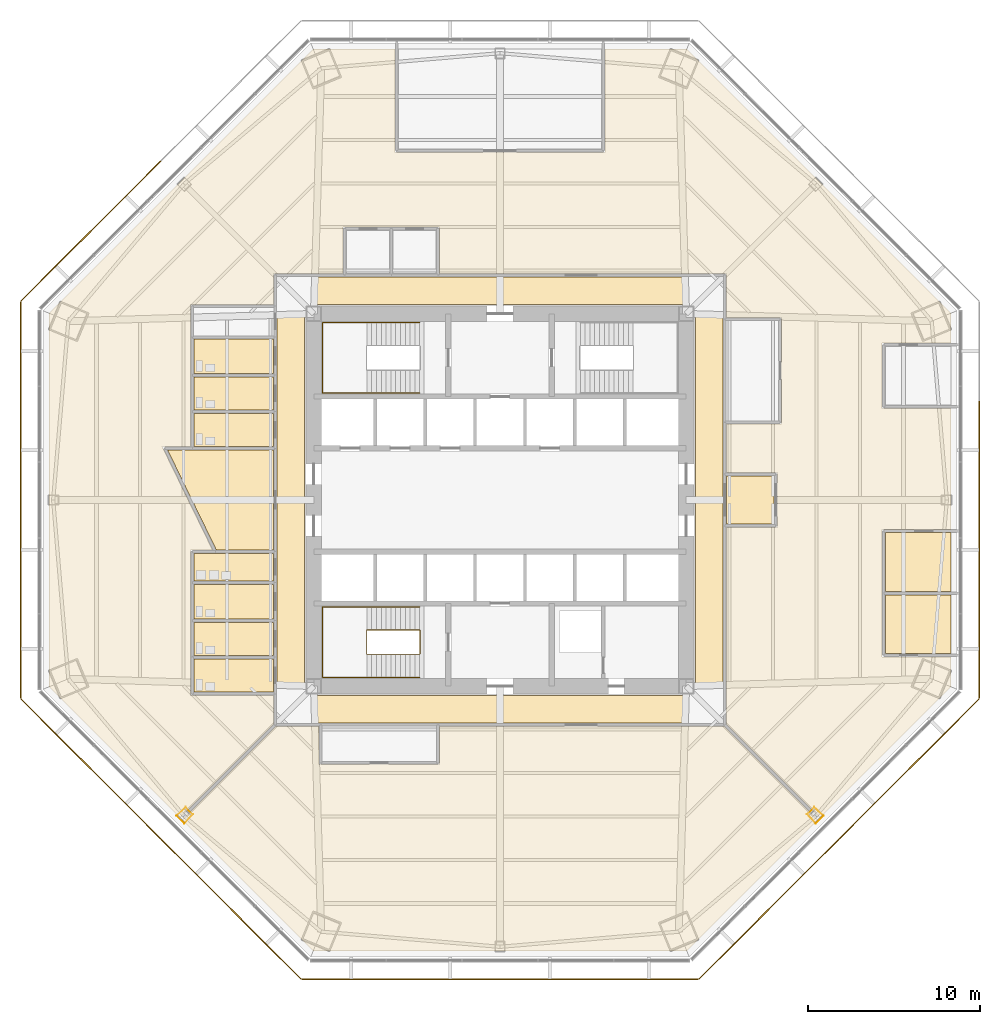
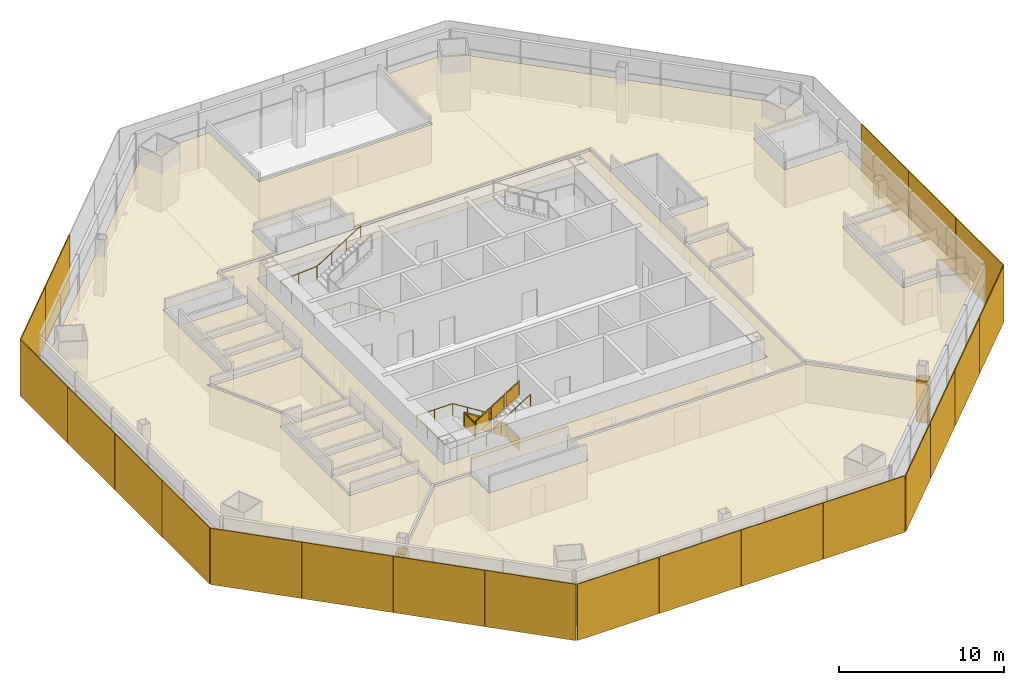
# One storey, part 11 of 13: 21 shading devices, 16 coverings, 3 railings.
"""IFC4 building model written with IfcOpenShell, lengths in metres."""

from ifc_helpers import new_model, si_unit, direction, frame, origin, origin_2d, place, context, subcontext, project, spatial, polyline, rectangle, circle, outline, extrude, source, transform, mapped, material, layer, layer_set, type_object, type_shapes, element, save


model = new_model("IFC4")

# Units and contexts
model_context = context("Model", 3, precision=1e-05, world=origin(), true_north=direction((0.0, 1.0)))
body_context = subcontext(model_context, "Body", "Model", "MODEL_VIEW")
ifc_project = project(units=[si_unit("LENGTHUNIT", "METRE"), si_unit("AREAUNIT", "SQUARE_METRE"), si_unit("VOLUMEUNIT", "CUBIC_METRE"), si_unit("PLANEANGLEUNIT", "RADIAN"), si_unit("MASSUNIT", "GRAM", prefix="KILO")], contexts=[model_context])

# Site, building, storey
site_placement = place(None, origin())
site = spatial("IfcSite", under=ifc_project, at=site_placement, CompositionType="ELEMENT")
building_placement = place(site_placement, origin())
building = spatial("IfcBuilding", under=site, at=building_placement, Name="Mashrafa Tower", CompositionType="ELEMENT")
storey_placement = place(building_placement, frame((0.0, 0.0, 45.60009765625)))
storey = spatial("IfcBuildingStorey", under=building, at=storey_placement, Name="L09", CompositionType="ELEMENT", Elevation=45.60009765625)

# Coverings
ifc_material_1 = material(Name="Gypsum board")
ifc_layer_1 = layer(ifc_material_1, 0.014892578125)
ifc_layer_set_1 = layer_set([ifc_layer_1], Name="Column casing plasterboard 15")
covering_type_1 = type_object("IfcCoveringType", Name="Column casing plasterboard 15", PredefinedType="CLADDING", material=ifc_layer_set_1)
covering_1_placement = place(storey_placement, origin())
element("IfcCovering", 1, at=covering_1_placement, inside=storey, type_object=covering_type_1, Name="Column casing L09-001", PredefinedType="CLADDING", context=body_context, shape_type="SweptSolid", body=[
    extrude(outline(polyline([(-18.777099609375, -18.331787109375), (-18.24755859375, -17.802001953125), (-17.802001953125, -18.24755859375), (-18.331787109375, -18.777099609375), (-18.777099609375, -18.331787109375)]), holes=[polyline([(-17.8232421875, -18.24755859375), (-18.24755859375, -17.8232421875), (-18.755859375, -18.331787109375), (-18.331787109375, -18.755859375), (-17.8232421875, -18.24755859375)])]), origin(), (0.0, 0.0, 1.0), 3.097900390625),
])
covering_2_placement = place(storey_placement, origin())
element("IfcCovering", 2, at=covering_2_placement, inside=storey, type_object=covering_type_1, Name="Column casing L09-002", PredefinedType="CLADDING", context=body_context, shape_type="SweptSolid", body=[
    extrude(outline(polyline([(17.802001953125, -18.24755859375), (18.24755859375, -17.802001953125), (18.777099609375, -18.331787109375), (18.331787109375, -18.777099609375), (17.802001953125, -18.24755859375)]), holes=[polyline([(18.755859375, -18.331787109375), (18.24755859375, -17.8232421875), (17.8232421875, -18.24755859375), (18.331787109375, -18.755859375), (18.755859375, -18.331787109375)])]), origin(), (0.0, 0.0, 1.0), 3.097900390625),
])

# Railings
ifc_material_2 = material(Name="Steel guard with glass infill", Category="steel")
railing_type_1 = type_object("IfcRailingType", Name="Stair guard 1100", PredefinedType="GUARDRAIL", material=ifc_material_2)
railing_1_placement = place(storey_placement, frame((-4.64990234375, -8.949951171875, 0.0)))
element("IfcRailing", 3, at=railing_1_placement, inside=storey, type_object=railing_type_1, Name="Stair S3 guard L09", PredefinedType="GUARDRAIL", context=body_context, shape_type="SweptSolid", body=[
    extrude(circle(Radius=0.02392578125, at=origin_2d()), frame((0.0, 0.0, 1.076171875), z_axis=(0.0, 1.0, 0.0), x_axis=(-1.0, 0.0, 0.0)), (0.0, 0.0, 1.0), 1.39990234375),
    extrude(circle(Radius=0.02392578125, at=origin_2d()), frame((0.0, 1.39990234375, 1.076171875), z_axis=(0.0, 0.0, 1.0), x_axis=(1.0, 0.0, 0.0)), (0.0, 0.0, 1.0), 0.1748046875),
    extrude(circle(Radius=0.02392578125, at=origin_2d()), frame((0.0, 1.39990234375, 1.2509765625), z_axis=(-0.847998304005, 0.0, 0.529998940003), x_axis=(0.0, -1.0, 0.0)), (0.0, 0.0, 1.0), 3.632080078125),
    extrude(circle(Radius=0.02392578125, at=origin_2d()), frame((-3.080078125, 1.39990234375, 3.17578125), z_axis=(0.0, -1.0, 0.0), x_axis=(1.0, 0.0, 0.0)), (0.0, 0.0, 1.0), 1.39990234375),
    extrude(circle(Radius=0.02392578125, at=origin_2d()), frame((-3.080078125, 0.0, 3.17578125), z_axis=(0.0, 0.0, 1.0), x_axis=(1.0, 0.0, 0.0)), (0.0, 0.0, 1.0), 0.175048828125),
    extrude(circle(Radius=0.02392578125, at=origin_2d()), frame((-3.080078125, 0.0, 3.35107421875), z_axis=(0.847998304005, 0.0, 0.529998940003), x_axis=(0.0, 1.0, 0.0)), (0.0, 0.0, 1.0), 3.632080078125),
    extrude(circle(Radius=0.02099609375, at=origin_2d()), origin(), (0.0, 0.0, 1.0), 1.052001953125),
    extrude(circle(Radius=0.02099609375, at=origin_2d()), frame((0.0, 1.39990234375, 0.0)), (0.0, 0.0, 1.0), 1.052001953125),
    extrude(circle(Radius=0.02099609375, at=origin_2d()), frame((0.0, 1.39990234375, 0.1748046875)), (0.0, 0.0, 1.0), 1.052001953125),
    extrude(circle(Radius=0.02099609375, at=origin_2d()), frame((-1.026611328125, 1.39990234375, 0.81640625)), (0.0, 0.0, 1.0), 1.052001953125),
    extrude(circle(Radius=0.02099609375, at=origin_2d()), frame((-2.053466796875, 1.39990234375, 1.458251953125)), (0.0, 0.0, 1.0), 1.052001953125),
    extrude(circle(Radius=0.02099609375, at=origin_2d()), frame((-3.080078125, 1.39990234375, 2.099853515625)), (0.0, 0.0, 1.0), 1.052001953125),
    extrude(circle(Radius=0.02099609375, at=origin_2d()), frame((-3.080078125, 0.0, 2.099853515625)), (0.0, 0.0, 1.0), 1.052001953125),
    extrude(circle(Radius=0.02099609375, at=origin_2d()), frame((-3.080078125, 0.0, 2.27490234375)), (0.0, 0.0, 1.0), 1.052001953125),
    extrude(circle(Radius=0.02099609375, at=origin_2d()), frame((-2.053466796875, 0.0, 2.91650390625)), (0.0, 0.0, 1.0), 1.052001953125),
    extrude(circle(Radius=0.02099609375, at=origin_2d()), frame((-1.026611328125, 0.0, 3.558349609375)), (0.0, 0.0, 1.0), 1.052001953125),
    extrude(circle(Radius=0.02099609375, at=origin_2d()), frame((0.0, 0.0, 4.199951171875)), (0.0, 0.0, 1.0), 1.052001953125),
    extrude(outline(polyline([(0.071044921875, 0.050048828125), (1.328857421875, 0.050048828125), (1.328857421875, 1.001953125), (0.071044921875, 1.001953125), (0.071044921875, 0.050048828125)])), frame((0.006103515625, 0.0, 0.0), z_axis=(1.0, 0.0, 0.0), x_axis=(0.0, 1.0, 0.0)), (0.0, 0.0, 1.0), 0.011962890625),
    extrude(outline(polyline([(0.071044921875, 0.094482421875), (0.955810546875, 0.647216796875), (0.955810546875, 1.599365234375), (0.071044921875, 1.04638671875), (0.071044921875, 0.094482421875)])), frame((0.0, 1.406005859375, 0.1748046875), z_axis=(0.0, 1.0, 0.0), x_axis=(-1.0, 0.0, 0.0)), (0.0, 0.0, 1.0), 0.011962890625),
    extrude(outline(polyline([(1.09765625, 0.736083984375), (1.982421875, 1.2890625), (1.982421875, 2.240966796875), (1.09765625, 1.68798828125), (1.09765625, 0.736083984375)])), frame((0.0, 1.406005859375, 0.1748046875), z_axis=(0.0, 1.0, 0.0), x_axis=(-1.0, 0.0, 0.0)), (0.0, 0.0, 1.0), 0.011962890625),
    extrude(outline(polyline([(2.124267578125, 1.377685546875), (3.009033203125, 1.9306640625), (3.009033203125, 2.882568359375), (2.124267578125, 2.329833984375), (2.124267578125, 1.377685546875)])), frame((0.0, 1.406005859375, 0.1748046875), z_axis=(0.0, 1.0, 0.0), x_axis=(-1.0, 0.0, 0.0)), (0.0, 0.0, 1.0), 0.011962890625),
    extrude(outline(polyline([(0.071044921875, 0.050048828125), (1.328857421875, 0.050048828125), (1.328857421875, 1.001953125), (0.071044921875, 1.001953125), (0.071044921875, 0.050048828125)])), frame((-3.086181640625, 1.39990234375, 2.099853515625), z_axis=(-1.0, 0.0, 0.0), x_axis=(0.0, -1.0, 0.0)), (0.0, 0.0, 1.0), 0.011962890625),
    extrude(outline(polyline([(0.071044921875, 0.094482421875), (0.955810546875, 0.647216796875), (0.955810546875, 1.599365234375), (0.071044921875, 1.04638671875), (0.071044921875, 0.094482421875)])), frame((-3.080078125, -0.006103515625, 2.27490234375), z_axis=(0.0, -1.0, 0.0), x_axis=(1.0, 0.0, 0.0)), (0.0, 0.0, 1.0), 0.011962890625),
    extrude(outline(polyline([(1.09765625, 0.736083984375), (1.982421875, 1.2890625), (1.982421875, 2.240966796875), (1.09765625, 1.68798828125), (1.09765625, 0.736083984375)])), frame((-3.080078125, -0.006103515625, 2.27490234375), z_axis=(0.0, -1.0, 0.0), x_axis=(1.0, 0.0, 0.0)), (0.0, 0.0, 1.0), 0.011962890625),
    extrude(outline(polyline([(2.124267578125, 1.377685546875), (3.009033203125, 1.9306640625), (3.009033203125, 2.882568359375), (2.124267578125, 2.329833984375), (2.124267578125, 1.377685546875)])), frame((-3.080078125, -0.006103515625, 2.27490234375), z_axis=(0.0, -1.0, 0.0), x_axis=(1.0, 0.0, 0.0)), (0.0, 0.0, 1.0), 0.011962890625),
])
ifc_material_3 = material(Name="Steel", Category="steel")
railing_type_2 = type_object("IfcRailingType", Name="Stair handrail 900", PredefinedType="HANDRAIL", material=ifc_material_3)
railing_2_placement = place(storey_placement, frame((-4.64990234375, 6.199951171875, 0.1748046875)))
element("IfcRailing", 4, at=railing_2_placement, inside=storey, type_object=railing_type_2, Name="Stair S1 handrail L09", PredefinedType="HANDRAIL", context=body_context, shape_type="SweptSolid", body=[
    extrude(circle(Radius=0.02392578125, at=origin_2d()), frame((0.0, 0.0, 0.8759765625), z_axis=(-0.847998304005, 0.0, 0.529998940003), x_axis=(0.0, -1.0, 0.0)), (0.0, 0.0, 1.0), 3.632080078125),
    extrude(circle(Radius=0.02392578125, at=origin_2d()), frame((-3.080078125, 0.0, 2.80078125), z_axis=(-1.0, 0.0, 0.0), x_axis=(0.0, -1.0, 0.0)), (0.0, 0.0, 1.0), 2.570068359375),
    extrude(circle(Radius=0.02392578125, at=origin_2d()), frame((-5.650146484375, 0.0, 2.80078125), z_axis=(0.0, 1.0, 0.0), x_axis=(-1.0, 0.0, 0.0)), (0.0, 0.0, 1.0), 4.10009765625),
    extrude(circle(Radius=0.02392578125, at=origin_2d()), frame((-5.650146484375, 4.10009765625, 2.80078125), z_axis=(0.997688514158, 0.0, 0.067953136188), x_axis=(0.0, 1.0, 0.0)), (0.0, 0.0, 1.0), 2.575927734375),
    extrude(circle(Radius=0.02392578125, at=origin_2d()), frame((-3.080078125, 4.10009765625, 2.97607421875), z_axis=(0.847998304005, 0.0, 0.529998940003), x_axis=(0.0, 1.0, 0.0)), (0.0, 0.0, 1.0), 3.632080078125),
    extrude(circle(Radius=0.02099609375, at=origin_2d()), origin(), (0.0, 0.0, 1.0), 0.851806640625),
    extrude(circle(Radius=0.02099609375, at=origin_2d()), frame((-1.026611328125, 0.0, 0.6416015625)), (0.0, 0.0, 1.0), 0.851806640625),
    extrude(circle(Radius=0.02099609375, at=origin_2d()), frame((-2.053466796875, 0.0, 1.283447265625)), (0.0, 0.0, 1.0), 0.851806640625),
    extrude(circle(Radius=0.02099609375, at=origin_2d()), frame((-3.080078125, 0.0, 1.925048828125)), (0.0, 0.0, 1.0), 0.851806640625),
    extrude(circle(Radius=0.02099609375, at=origin_2d()), frame((-4.365234375, 0.0, 1.925048828125)), (0.0, 0.0, 1.0), 0.851806640625),
    extrude(circle(Radius=0.02099609375, at=origin_2d()), frame((-5.650146484375, 0.0, 1.925048828125)), (0.0, 0.0, 1.0), 0.851806640625),
    extrude(circle(Radius=0.02099609375, at=origin_2d()), frame((-5.650146484375, 1.36669921875, 1.925048828125)), (0.0, 0.0, 1.0), 0.851806640625),
    extrude(circle(Radius=0.02099609375, at=origin_2d()), frame((-5.650146484375, 2.7333984375, 1.925048828125)), (0.0, 0.0, 1.0), 0.851806640625),
    extrude(circle(Radius=0.02099609375, at=origin_2d()), frame((-5.650146484375, 4.10009765625, 1.925048828125)), (0.0, 0.0, 1.0), 0.851806640625),
    extrude(circle(Radius=0.02099609375, at=origin_2d()), frame((-4.365234375, 4.10009765625, 2.0126953125)), (0.0, 0.0, 1.0), 0.851806640625),
    extrude(circle(Radius=0.02099609375, at=origin_2d()), frame((-3.080078125, 4.10009765625, 2.10009765625)), (0.0, 0.0, 1.0), 0.851806640625),
    extrude(circle(Radius=0.02099609375, at=origin_2d()), frame((-2.053466796875, 4.10009765625, 2.74169921875)), (0.0, 0.0, 1.0), 0.851806640625),
    extrude(circle(Radius=0.02099609375, at=origin_2d()), frame((-1.026611328125, 4.10009765625, 3.383544921875)), (0.0, 0.0, 1.0), 0.851806640625),
    extrude(circle(Radius=0.02099609375, at=origin_2d()), frame((0.0, 4.10009765625, 4.025146484375)), (0.0, 0.0, 1.0), 0.851806640625),
])
railing_3_placement = place(storey_placement, frame((-4.64990234375, -6.199951171875, 0.1748046875)))
element("IfcRailing", 5, at=railing_3_placement, inside=storey, type_object=railing_type_2, Name="Stair S3 handrail L09", PredefinedType="HANDRAIL", context=body_context, shape_type="SweptSolid", body=[
    extrude(circle(Radius=0.02392578125, at=origin_2d()), frame((0.0, 0.0, 0.8759765625), z_axis=(-0.847998304005, 0.0, 0.529998940003), x_axis=(0.0, -1.0, 0.0)), (0.0, 0.0, 1.0), 3.632080078125),
    extrude(circle(Radius=0.02392578125, at=origin_2d()), frame((-3.080078125, 0.0, 2.80078125), z_axis=(-1.0, 0.0, 0.0), x_axis=(0.0, -1.0, 0.0)), (0.0, 0.0, 1.0), 2.570068359375),
    extrude(circle(Radius=0.02392578125, at=origin_2d()), frame((-5.650146484375, 0.0, 2.80078125), z_axis=(0.0, -1.0, 0.0), x_axis=(1.0, 0.0, 0.0)), (0.0, 0.0, 1.0), 4.10009765625),
    extrude(circle(Radius=0.02392578125, at=origin_2d()), frame((-5.650146484375, -4.10009765625, 2.80078125), z_axis=(0.997688514158, 0.0, 0.067953136188), x_axis=(0.0, 1.0, 0.0)), (0.0, 0.0, 1.0), 2.575927734375),
    extrude(circle(Radius=0.02392578125, at=origin_2d()), frame((-3.080078125, -4.10009765625, 2.97607421875), z_axis=(0.847998304005, 0.0, 0.529998940003), x_axis=(0.0, 1.0, 0.0)), (0.0, 0.0, 1.0), 3.632080078125),
    extrude(circle(Radius=0.02099609375, at=origin_2d()), origin(), (0.0, 0.0, 1.0), 0.851806640625),
    extrude(circle(Radius=0.02099609375, at=origin_2d()), frame((-1.026611328125, 0.0, 0.6416015625)), (0.0, 0.0, 1.0), 0.851806640625),
    extrude(circle(Radius=0.02099609375, at=origin_2d()), frame((-2.053466796875, 0.0, 1.283447265625)), (0.0, 0.0, 1.0), 0.851806640625),
    extrude(circle(Radius=0.02099609375, at=origin_2d()), frame((-3.080078125, 0.0, 1.925048828125)), (0.0, 0.0, 1.0), 0.851806640625),
    extrude(circle(Radius=0.02099609375, at=origin_2d()), frame((-4.365234375, 0.0, 1.925048828125)), (0.0, 0.0, 1.0), 0.851806640625),
    extrude(circle(Radius=0.02099609375, at=origin_2d()), frame((-5.650146484375, 0.0, 1.925048828125)), (0.0, 0.0, 1.0), 0.851806640625),
    extrude(circle(Radius=0.02099609375, at=origin_2d()), frame((-5.650146484375, -1.36669921875, 1.925048828125)), (0.0, 0.0, 1.0), 0.851806640625),
    extrude(circle(Radius=0.02099609375, at=origin_2d()), frame((-5.650146484375, -2.7333984375, 1.925048828125)), (0.0, 0.0, 1.0), 0.851806640625),
    extrude(circle(Radius=0.02099609375, at=origin_2d()), frame((-5.650146484375, -4.10009765625, 1.925048828125)), (0.0, 0.0, 1.0), 0.851806640625),
    extrude(circle(Radius=0.02099609375, at=origin_2d()), frame((-4.365234375, -4.10009765625, 2.0126953125)), (0.0, 0.0, 1.0), 0.851806640625),
    extrude(circle(Radius=0.02099609375, at=origin_2d()), frame((-3.080078125, -4.10009765625, 2.10009765625)), (0.0, 0.0, 1.0), 0.851806640625),
    extrude(circle(Radius=0.02099609375, at=origin_2d()), frame((-2.053466796875, -4.10009765625, 2.74169921875)), (0.0, 0.0, 1.0), 0.851806640625),
    extrude(circle(Radius=0.02099609375, at=origin_2d()), frame((-1.026611328125, -4.10009765625, 3.383544921875)), (0.0, 0.0, 1.0), 0.851806640625),
    extrude(circle(Radius=0.02099609375, at=origin_2d()), frame((0.0, -4.10009765625, 4.025146484375)), (0.0, 0.0, 1.0), 0.851806640625),
])

# Coverings
ifc_material_4 = material(Name="Mineral fibre tile on suspension grid")
ifc_layer_2 = layer(ifc_material_4, 0.014892578125)
ifc_layer_set_2 = layer_set([ifc_layer_2], Name="Suspended ceiling mineral tile 15")
covering_type_2 = type_object("IfcCoveringType", Name="Suspended ceiling mineral tile 15", PredefinedType="CEILING", material=ifc_layer_set_2)
covering_3_placement = place(storey_placement, frame((0.0, 0.0, 2.849853515625)))
element("IfcCovering", 6, at=covering_3_placement, inside=storey, type_object=covering_type_2, Name="Ceiling Office Corridor L09", PredefinedType="CEILING", context=body_context, shape_type="SweptSolid", body=[
    extrude(outline(polyline([(-12.949951171875, -12.949951171875), (-12.949951171875, 12.949951171875), (12.949951171875, 12.949951171875), (12.949951171875, -12.949951171875), (-12.949951171875, -12.949951171875)]), holes=[polyline([(11.35009765625, 11.35009765625), (-11.35009765625, 11.35009765625), (-11.35009765625, -11.35009765625), (11.35009765625, -11.35009765625), (11.35009765625, 11.35009765625)])]), origin(), (0.0, 0.0, 1.0), 0.01513671875),
])
covering_4_placement = place(storey_placement, frame((0.0, 0.0, 2.89990234375)))
element("IfcCovering", 7, at=covering_4_placement, inside=storey, type_object=covering_type_2, Name="Ceiling WC Female L09 N", PredefinedType="CEILING", context=body_context, shape_type="SweptSolid", body=[
    extrude(outline(polyline([(-17.75, 3.10009765625), (-17.75, 5.02490234375), (-13.14990234375, 5.02490234375), (-13.14990234375, 3.10009765625), (-17.75, 3.10009765625)])), origin(), (0.0, 0.0, 1.0), 0.014892578125),
])
covering_5_placement = place(storey_placement, frame((0.0, 0.0, 2.89990234375)))
element("IfcCovering", 8, at=covering_5_placement, inside=storey, type_object=covering_type_2, Name="Ceiling WC Male L09 N", PredefinedType="CEILING", context=body_context, shape_type="SweptSolid", body=[
    extrude(outline(polyline([(-17.75, 5.22509765625), (-17.75, 7.14990234375), (-13.14990234375, 7.14990234375), (-13.14990234375, 5.22509765625), (-17.75, 5.22509765625)])), origin(), (0.0, 0.0, 1.0), 0.014892578125),
])
covering_6_placement = place(storey_placement, frame((0.0, 0.0, 2.89990234375)))
element("IfcCovering", 9, at=covering_6_placement, inside=storey, type_object=covering_type_2, Name="Ceiling Accessible WC L09 N", PredefinedType="CEILING", context=body_context, shape_type="SweptSolid", body=[
    extrude(outline(polyline([(-17.75, 7.35009765625), (-17.75, 9.35009765625), (-13.14990234375, 9.35009765625), (-13.14990234375, 7.35009765625), (-17.75, 7.35009765625)])), origin(), (0.0, 0.0, 1.0), 0.014892578125),
])
covering_7_placement = place(storey_placement, frame((0.0, 0.0, 2.89990234375)))
element("IfcCovering", 10, at=covering_7_placement, inside=storey, type_object=covering_type_2, Name="Ceiling WC Female L09 S", PredefinedType="CEILING", context=body_context, shape_type="SweptSolid", body=[
    extrude(outline(polyline([(-17.75, -11.14990234375), (-17.75, -9.22509765625), (-13.14990234375, -9.22509765625), (-13.14990234375, -11.14990234375), (-17.75, -11.14990234375)])), origin(), (0.0, 0.0, 1.0), 0.014892578125),
])
covering_8_placement = place(storey_placement, frame((0.0, 0.0, 2.89990234375)))
element("IfcCovering", 11, at=covering_8_placement, inside=storey, type_object=covering_type_2, Name="Ceiling WC Male L09 S", PredefinedType="CEILING", context=body_context, shape_type="SweptSolid", body=[
    extrude(outline(polyline([(-17.75, -9.02490234375), (-17.75, -7.10009765625), (-13.14990234375, -7.10009765625), (-13.14990234375, -9.02490234375), (-17.75, -9.02490234375)])), origin(), (0.0, 0.0, 1.0), 0.014892578125),
])
covering_9_placement = place(storey_placement, frame((0.0, 0.0, 2.89990234375)))
element("IfcCovering", 12, at=covering_9_placement, inside=storey, type_object=covering_type_2, Name="Ceiling Accessible WC L09 S", PredefinedType="CEILING", context=body_context, shape_type="SweptSolid", body=[
    extrude(outline(polyline([(-17.75, -6.89990234375), (-17.75, -4.89990234375), (-13.14990234375, -4.89990234375), (-13.14990234375, -6.89990234375), (-17.75, -6.89990234375)])), origin(), (0.0, 0.0, 1.0), 0.014892578125),
])
covering_10_placement = place(storey_placement, frame((0.0, 0.0, 2.89990234375)))
element("IfcCovering", 13, at=covering_10_placement, inside=storey, type_object=covering_type_2, Name="Ceiling Ablution Room L09 S", PredefinedType="CEILING", context=body_context, shape_type="SweptSolid", body=[
    extrude(outline(polyline([(-17.75, -4.699951171875), (-17.75, -3.10009765625), (-13.14990234375, -3.10009765625), (-13.14990234375, -4.699951171875), (-17.75, -4.699951171875)])), origin(), (0.0, 0.0, 1.0), 0.014892578125),
])
covering_11_placement = place(storey_placement, frame((0.0, 0.0, 2.849853515625)))
element("IfcCovering", 14, at=covering_11_placement, inside=storey, type_object=covering_type_2, Name="Ceiling Musallah Prayer Room 09", PredefinedType="CEILING", context=body_context, shape_type="SweptSolid", body=[
    extrude(outline(polyline([(-16.461181640625, -2.89990234375), (-19.2900390625, 2.89990234375), (-13.14990234375, 2.89990234375), (-13.14990234375, -2.89990234375), (-16.461181640625, -2.89990234375)])), origin(), (0.0, 0.0, 1.0), 0.01513671875),
])
covering_12_placement = place(storey_placement, frame((0.0, 0.0, 2.89990234375)))
element("IfcCovering", 15, at=covering_12_placement, inside=storey, type_object=covering_type_2, Name="Ceiling Meeting Room 09-1", PredefinedType="CEILING", context=body_context, shape_type="SweptSolid", body=[
    extrude(outline(polyline([(22.374755859375, -5.5), (26.1748046875, -5.5), (26.1748046875, -8.89990234375), (22.374755859375, -8.89990234375), (22.374755859375, -5.5)])), origin(), (0.0, 0.0, 1.0), 0.014892578125),
])
covering_13_placement = place(storey_placement, frame((0.0, 0.0, 2.89990234375)))
element("IfcCovering", 16, at=covering_13_placement, inside=storey, type_object=covering_type_2, Name="Ceiling Meeting Room 09-2", PredefinedType="CEILING", context=body_context, shape_type="SweptSolid", body=[
    extrude(outline(polyline([(22.374755859375, -1.89990234375), (26.1748046875, -1.89990234375), (26.1748046875, -5.300048828125), (22.374755859375, -5.300048828125), (22.374755859375, -1.89990234375)])), origin(), (0.0, 0.0, 1.0), 0.014892578125),
])
covering_14_placement = place(storey_placement, frame((0.0, 0.0, 2.849853515625)))
element("IfcCovering", 17, at=covering_14_placement, inside=storey, type_object=covering_type_2, Name="Ceiling Trading Floor Entrance Lobby 09", PredefinedType="CEILING", context=body_context, shape_type="SweptSolid", body=[
    extrude(outline(polyline([(13.14990234375, 1.39990234375), (15.89990234375, 1.39990234375), (15.89990234375, -1.39990234375), (13.14990234375, -1.39990234375), (13.14990234375, 1.39990234375)])), origin(), (0.0, 0.0, 1.0), 0.01513671875),
])
covering_15_placement = place(storey_placement, frame((0.0, 0.0, 2.849853515625)))
element("IfcCovering", 18, at=covering_15_placement, inside=storey, type_object=covering_type_2, Name="Ceiling Trading Floor 09", PredefinedType="CEILING", context=body_context, shape_type="SweptSolid", body=[
    extrude(outline(polyline([(-13.14990234375, -13.008544921875), (-18.5791015625, -18.4375), (-26.1748046875, -10.841796875), (-26.1748046875, 10.841796875), (-10.841796875, 26.1748046875), (-6.10009765625, 26.1748046875), (-6.10009765625, 20.1748046875), (6.10009765625, 20.1748046875), (6.10009765625, 26.1748046875), (10.841796875, 26.1748046875), (26.1748046875, 10.841796875), (26.1748046875, 9.10009765625), (22.1748046875, 9.10009765625), (22.1748046875, 5.300048828125), (26.1748046875, 5.300048828125), (26.1748046875, -1.699951171875), (22.1748046875, -1.699951171875), (22.1748046875, -9.10009765625), (26.1748046875, -9.10009765625), (26.1748046875, -10.841796875), (18.5791015625, -18.4375), (13.14990234375, -13.008544921875), (13.14990234375, -1.60009765625), (16.10009765625, -1.60009765625), (16.10009765625, 1.60009765625), (13.14990234375, 1.60009765625), (13.14990234375, 4.39990234375), (16.35009765625, 4.39990234375), (16.35009765625, 10.60009765625), (13.14990234375, 10.60009765625), (13.14990234375, 13.14990234375), (-3.5, 13.14990234375), (-3.5, 15.85009765625), (-9.10009765625, 15.85009765625), (-9.10009765625, 13.14990234375), (-13.14990234375, 13.14990234375), (-13.14990234375, 11.35009765625), (-17.949951171875, 11.35009765625), (-17.949951171875, 3.10009765625), (-19.610107421875, 3.10009765625), (-16.68359375, -2.89990234375), (-17.949951171875, -2.89990234375), (-17.949951171875, -11.35009765625), (-13.14990234375, -11.35009765625), (-13.14990234375, -13.008544921875)])), origin(), (0.0, 0.0, 1.0), 0.01513671875),
])
covering_16_placement = place(storey_placement, frame((0.0, 0.0, 2.849853515625)))
element("IfcCovering", 19, at=covering_16_placement, inside=storey, type_object=covering_type_2, Name="Ceiling Research and Sales Office 09", PredefinedType="CEILING", context=body_context, shape_type="SweptSolid", body=[
    extrude(outline(polyline([(13.008544921875, -13.14990234375), (18.4375, -18.5791015625), (10.841796875, -26.1748046875), (-10.841796875, -26.1748046875), (-18.4375, -18.5791015625), (-13.008544921875, -13.14990234375), (-10.5, -13.14990234375), (-10.5, -15.35009765625), (-3.5, -15.35009765625), (-3.5, -13.14990234375), (13.008544921875, -13.14990234375)])), origin(), (0.0, 0.0, 1.0), 0.01513671875),
])

# Shading devices
ifc_material_5 = material(Name="Perforated aluminium plate, eight-point star pattern", Category="aluminium")
ifc_layer_3 = layer(ifc_material_5, 0.06005859375)
ifc_layer_set_3 = layer_set([ifc_layer_3], Name="Mashrabiya screen panel office zone 1, 45 percent open")
shading_device_type = type_object("IfcShadingDeviceType", Name="Mashrabiya screen panel office zone 1, 45 percent open", PredefinedType="SHUTTER", material=ifc_layer_set_3)
shared_shape = source(origin(), body_context, "Body", "SweptSolid", [
    extrude(rectangle(XDim=5.7314453125, YDim=0.06005859375, at=origin_2d()), origin(), (0.0, 0.0, 1.0), 4.179931640625),
])
type_shapes(shading_device_type, [shared_shape])
for number, where, z_axis, x_axis, name in (
    (20, (27.82470703125, -8.627197265625, -0.14990234375), (0.0, 0.0, 1.0), (0.0, 1.0, 0.0), "Mashrabiya screen L09 east 1"),
    (21, (27.82470703125, -2.875732421875, -0.14990234375), (0.0, 0.0, 1.0), (0.0, 1.0, 0.0), "Mashrabiya screen L09 east 2"),
    (22, (27.82470703125, 2.875732421875, -0.14990234375), (0.0, 0.0, 1.0), (0.0, 1.0, 0.0), "Mashrabiya screen L09 east 3"),
    (23, (-21.70849609375, 17.6416015625, -0.14990234375), (0.0, 0.0, 1.0), (-0.707106781187, -0.707106781187, 0.0), "Mashrabiya screen L09 north-west 3"),
    (24, (-25.775390625, 13.57470703125, -0.14990234375), (0.0, 0.0, 1.0), (-0.707106781187, -0.707106781187, 0.0), "Mashrabiya screen L09 north-west 4"),
    (25, (-27.82470703125, 8.627197265625, -0.14990234375), (0.0, 0.0, 1.0), (0.0, -1.0, 0.0), "Mashrabiya screen L09 west 1"),
    (26, (-27.82470703125, 2.875732421875, -0.14990234375), (0.0, 0.0, 1.0), (0.0, -1.0, 0.0), "Mashrabiya screen L09 west 2"),
    (27, (-27.82470703125, -2.875732421875, -0.14990234375), (0.0, 0.0, 1.0), (0.0, -1.0, 0.0), "Mashrabiya screen L09 west 3"),
    (28, (-27.82470703125, -8.627197265625, -0.14990234375), (0.0, 0.0, 1.0), (0.0, -1.0, 0.0), "Mashrabiya screen L09 west 4"),
    (29, (-25.775390625, -13.57470703125, -0.14990234375), (0.0, 0.0, 1.0), (0.707106781187, -0.707106781187, 0.0), "Mashrabiya screen L09 south-west 1"),
    (30, (-21.70849609375, -17.6416015625, -0.14990234375), (0.0, 0.0, 1.0), (0.707106781187, -0.707106781187, 0.0), "Mashrabiya screen L09 south-west 2"),
    (31, (-17.6416015625, -21.70849609375, -0.14990234375), (0.0, 0.0, 1.0), (0.707106781187, -0.707106781187, 0.0), "Mashrabiya screen L09 south-west 3"),
    (32, (-13.57470703125, -25.775390625, -0.14990234375), (0.0, 0.0, 1.0), (0.707106781187, -0.707106781187, 0.0), "Mashrabiya screen L09 south-west 4"),
    (33, (-8.627197265625, -27.82470703125, -0.14990234375), (0.0, 0.0, 1.0), (1.0, 0.0, 0.0), "Mashrabiya screen L09 south 1"),
    (34, (-2.875732421875, -27.82470703125, -0.14990234375), (0.0, 0.0, 1.0), (1.0, 0.0, 0.0), "Mashrabiya screen L09 south 2"),
    (35, (2.875732421875, -27.82470703125, -0.14990234375), (0.0, 0.0, 1.0), (1.0, 0.0, 0.0), "Mashrabiya screen L09 south 3"),
    (36, (8.627197265625, -27.82470703125, -0.14990234375), (0.0, 0.0, 1.0), (1.0, 0.0, 0.0), "Mashrabiya screen L09 south 4"),
    (37, (13.57470703125, -25.775390625, -0.14990234375), (0.0, 0.0, 1.0), (0.707106781187, 0.707106781187, 0.0), "Mashrabiya screen L09 south-east 1"),
    (38, (17.6416015625, -21.70849609375, -0.14990234375), (0.0, 0.0, 1.0), (0.707106781187, 0.707106781187, 0.0), "Mashrabiya screen L09 south-east 2"),
    (39, (21.70849609375, -17.6416015625, -0.14990234375), (0.0, 0.0, 1.0), (0.707106781187, 0.707106781187, 0.0), "Mashrabiya screen L09 south-east 3"),
    (40, (25.775390625, -13.57470703125, -0.14990234375), (0.0, 0.0, 1.0), (0.707106781187, 0.707106781187, 0.0), "Mashrabiya screen L09 south-east 4"),
):
    element("IfcShadingDevice", number, at=place(storey_placement, frame(where, z_axis=z_axis, x_axis=x_axis)), inside=storey, type_object=shading_device_type, Name=name, PredefinedType="SHUTTER", context=body_context, shape_type="MappedRepresentation", body=[
        mapped(shared_shape, transform((0.0, 0.0, 0.0))),
    ])

save(model, "model.ifc")
